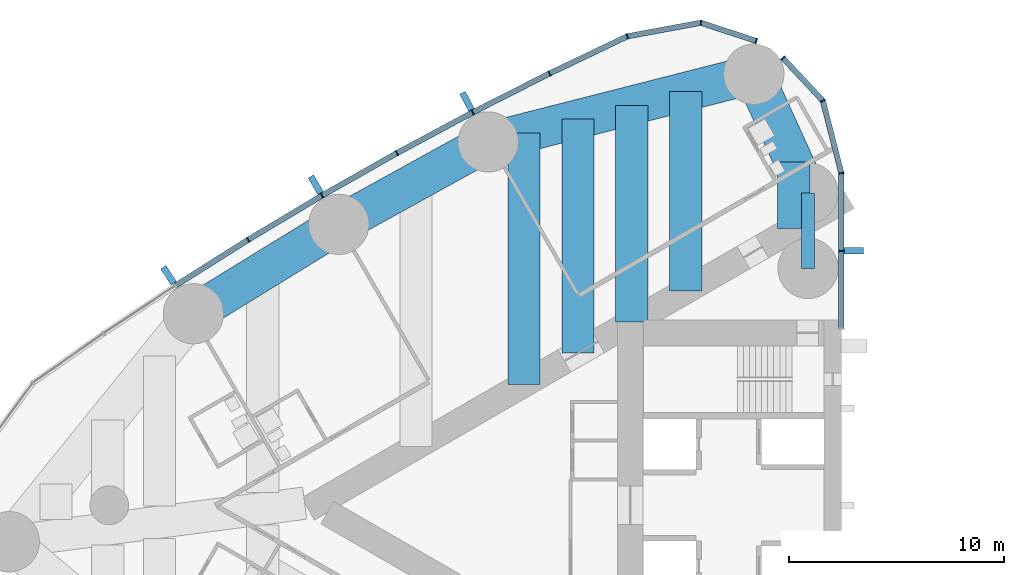
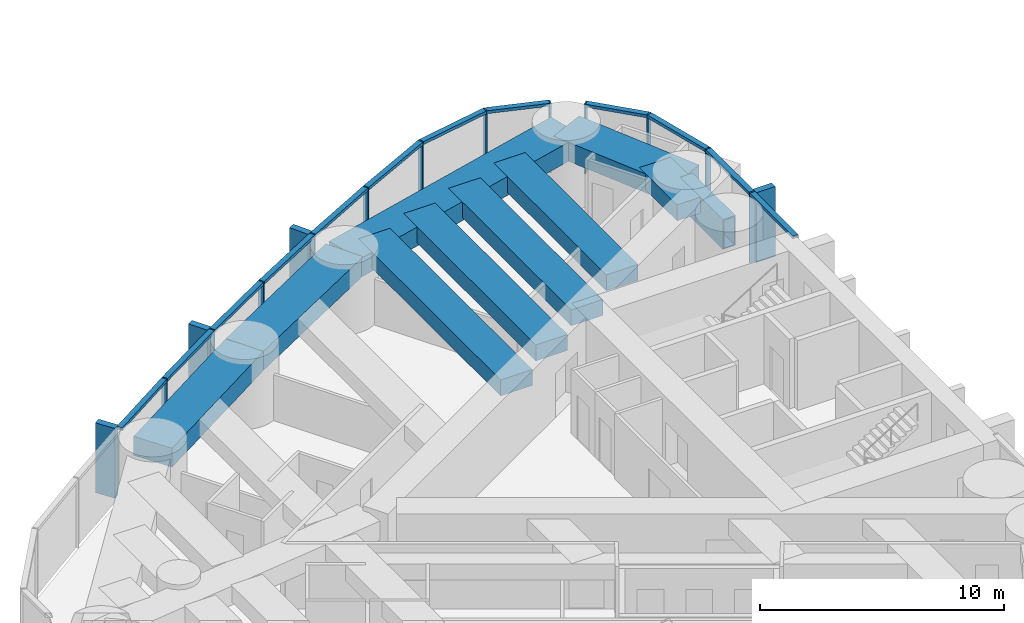
# One storey, part 5 of 19: 28 members, 10 beams, 2 elements without a shape of their own.
"""IFC4 building model written with IfcOpenShell, lengths in metres."""

from ifc_helpers import new_model, si_unit, direction, frame, origin, origin_2d, place, context, subcontext, project, spatial, rectangle, hollow_rectangle, extrude, material, material_profile, profile_set, type_object, element, aggregate, save


model = new_model("IFC4")

# Units and contexts
model_context = context("Model", 3, precision=1e-05, world=origin(), true_north=direction((0.0, 1.0)))
body_context = subcontext(model_context, "Body", "Model", "MODEL_VIEW")
ifc_project = project(units=[si_unit("LENGTHUNIT", "METRE"), si_unit("AREAUNIT", "SQUARE_METRE"), si_unit("VOLUMEUNIT", "CUBIC_METRE"), si_unit("PLANEANGLEUNIT", "RADIAN"), si_unit("MASSUNIT", "GRAM", prefix="KILO")], contexts=[model_context])

# Site, building, storey
site_placement = place(None, origin())
site = spatial("IfcSite", under=ifc_project, at=site_placement, CompositionType="ELEMENT")
building_placement = place(site_placement, origin())
building = spatial("IfcBuilding", under=site, at=building_placement, Name="Lancet Gate Hotel", CompositionType="ELEMENT")
storey_placement = place(building_placement, frame((0.0, 0.0, 163.300048828125)))
storey = spatial("IfcBuildingStorey", under=building, at=storey_placement, Name="L43", CompositionType="ELEMENT", Elevation=163.300048828125)

# Curtain wall, members
ifc_material_1 = material(Name="Aluminium curtain wall", Category="aluminium")
curtain_wall_type = type_object("IfcCurtainWallType", Name="Tower unitised curtain wall", PredefinedType="USERDEFINED", material=ifc_material_1)
curtain_wall_1_placement = place(storey_placement, origin())
curtain_wall_1 = element("IfcCurtainWall", 1, at=curtain_wall_1_placement, inside=storey, type_object=curtain_wall_type, Name="T1 L43 curtain wall 1", ObjectType="UNITISED CURTAIN WALL", PredefinedType="USERDEFINED")
ifc_material_2 = material(Name="Aluminium mullion", Category="aluminium")
ifc_material_profile_1 = material_profile(ifc_material_2, rectangle(XDim=0.06494140625, YDim=0.25, at=origin_2d()), Name="MULLION 65x250")
ifc_profile_set_1 = profile_set([ifc_material_profile_1], Name="Aluminium mullion")
member_type_1 = type_object("IfcMemberType", Name="Aluminium mullion 65x250", PredefinedType="MULLION", material=ifc_profile_set_1)
member_1_placement = place(storey_placement, frame((-27.5, 11.811767578125, 0.0), z_axis=(0.0, 0.0, 1.0), x_axis=(0.0, 1.0, 0.0)))
member_1 = element("IfcMember", 2, at=member_1_placement, type_object=member_type_1, Name="T1 L43 curtain wall 1 mullion 2", PredefinedType="MULLION", context=body_context, shape_type="SweptSolid", body=[
    extrude(rectangle(XDim=0.06494140625, YDim=0.25, at=origin_2d()), origin(), (0.0, 0.0, 1.0), 3.5),
])
member_2_placement = place(storey_placement, frame((-27.5, 15.42333984375, 0.0), z_axis=(0.0, 0.0, 1.0), x_axis=(-0.122467472845, 0.992472527627, 0.0)))
member_2 = element("IfcMember", 3, at=member_2_placement, type_object=member_type_1, Name="T1 L43 curtain wall 1 mullion 3", PredefinedType="MULLION", context=body_context, shape_type="SweptSolid", body=[
    extrude(rectangle(XDim=0.06494140625, YDim=0.25, at=origin_2d()), origin(), (0.0, 0.0, 1.0), 3.5),
])
member_3_placement = place(storey_placement, frame((-28.360595703125, 18.7861328125, 0.0), z_axis=(0.0, 0.0, 1.0), x_axis=(-0.452507601198, 0.891760545695, 0.0)))
member_3 = element("IfcMember", 4, at=member_3_placement, type_object=member_type_1, Name="T1 L43 curtain wall 1 mullion 4", PredefinedType="MULLION", context=body_context, shape_type="SweptSolid", body=[
    extrude(rectangle(XDim=0.06494140625, YDim=0.25, at=origin_2d()), origin(), (0.0, 0.0, 1.0), 3.5),
])
member_4_placement = place(storey_placement, frame((-30.210693359375, 20.765625, 0.0), z_axis=(0.0, 0.0, 1.0), x_axis=(-0.682844962172, 0.730563315282, 0.0)))
member_4 = element("IfcMember", 5, at=member_4_placement, type_object=member_type_1, Name="T1 L43 curtain wall 1 mullion 5", PredefinedType="MULLION", context=body_context, shape_type="SweptSolid", body=[
    extrude(rectangle(XDim=0.06494140625, YDim=0.25, at=origin_2d()), origin(), (0.0, 0.0, 1.0), 3.5),
])

curtain_wall_2_placement = place(storey_placement, origin())
curtain_wall_2 = element("IfcCurtainWall", 6, at=curtain_wall_2_placement, inside=storey, type_object=curtain_wall_type, Name="T1 L43 curtain wall 2", ObjectType="UNITISED CURTAIN WALL", PredefinedType="USERDEFINED")
member_5_placement = place(storey_placement, frame((-31.45263671875, 21.5595703125, 0.0), z_axis=(0.0, 0.0, 1.0), x_axis=(-0.949848055084, 0.312711803827, 0.0)))
member_5 = element("IfcMember", 7, at=member_5_placement, type_object=member_type_1, Name="T1 L43 curtain wall 2 mullion 1", PredefinedType="MULLION", context=body_context, shape_type="SweptSolid", body=[
    extrude(rectangle(XDim=0.06494140625, YDim=0.25, at=origin_2d()), origin(), (0.0, 0.0, 1.0), 3.5),
])
member_6_placement = place(storey_placement, frame((-34.02783203125, 22.407470703125, 0.0), z_axis=(0.0, 0.0, 1.0), x_axis=(-0.999350473622, 0.036036521361, 0.0)))
member_6 = element("IfcMember", 8, at=member_6_placement, type_object=member_type_1, Name="T1 L43 curtain wall 2 mullion 2", PredefinedType="MULLION", context=body_context, shape_type="SweptSolid", body=[
    extrude(rectangle(XDim=0.06494140625, YDim=0.25, at=origin_2d()), origin(), (0.0, 0.0, 1.0), 3.5),
])
member_7_placement = place(storey_placement, frame((-37.44091796875, 21.775634765625, 0.0), z_axis=(0.0, 0.0, 1.0), x_axis=(-0.948119321052, -0.317914694609, 0.0)))
member_7 = element("IfcMember", 9, at=member_7_placement, type_object=member_type_1, Name="T1 L43 curtain wall 2 mullion 3", PredefinedType="MULLION", context=body_context, shape_type="SweptSolid", body=[
    extrude(rectangle(XDim=0.06494140625, YDim=0.25, at=origin_2d()), origin(), (0.0, 0.0, 1.0), 3.5),
])
member_8_placement = place(storey_placement, frame((-41.0498046875, 20.052978515625, 0.0), z_axis=(0.0, 0.0, 1.0), x_axis=(-0.897324392142, -0.441371652088, 0.0)))
member_8 = element("IfcMember", 10, at=member_8_placement, type_object=member_type_1, Name="T1 L43 curtain wall 2 mullion 4", PredefinedType="MULLION", context=body_context, shape_type="SweptSolid", body=[
    extrude(rectangle(XDim=0.06494140625, YDim=0.25, at=origin_2d()), origin(), (0.0, 0.0, 1.0), 3.5),
])
member_9_placement = place(storey_placement, frame((-44.6171875, 18.245849609375, 0.0), z_axis=(0.0, 0.0, 1.0), x_axis=(-0.886694440064, -0.462355891019, 0.0)))
member_9 = element("IfcMember", 11, at=member_9_placement, type_object=member_type_1, Name="T1 L43 curtain wall 2 mullion 5", PredefinedType="MULLION", context=body_context, shape_type="SweptSolid", body=[
    extrude(rectangle(XDim=0.06494140625, YDim=0.25, at=origin_2d()), origin(), (0.0, 0.0, 1.0), 3.5),
])
member_10_placement = place(storey_placement, frame((-48.140869140625, 16.355224609375, 0.0), z_axis=(0.0, 0.0, 1.0), x_axis=(-0.87557384965, -0.483084292654, 0.0)))
member_10 = element("IfcMember", 12, at=member_10_placement, type_object=member_type_1, Name="T1 L43 curtain wall 2 mullion 6", PredefinedType="MULLION", context=body_context, shape_type="SweptSolid", body=[
    extrude(rectangle(XDim=0.06494140625, YDim=0.25, at=origin_2d()), origin(), (0.0, 0.0, 1.0), 3.5),
])
member_11_placement = place(storey_placement, frame((-51.619384765625, 14.38232421875, 0.0), z_axis=(0.0, 0.0, 1.0), x_axis=(-0.863968774311, -0.503545387245, 0.0)))
member_11 = element("IfcMember", 13, at=member_11_placement, type_object=member_type_1, Name="T1 L43 curtain wall 2 mullion 7", PredefinedType="MULLION", context=body_context, shape_type="SweptSolid", body=[
    extrude(rectangle(XDim=0.06494140625, YDim=0.25, at=origin_2d()), origin(), (0.0, 0.0, 1.0), 3.5),
])
member_12_placement = place(storey_placement, frame((-55.05029296875, 12.328369140625, 0.0), z_axis=(0.0, 0.0, 1.0), x_axis=(-0.851885635531, -0.52372785297, 0.0)))
member_12 = element("IfcMember", 14, at=member_12_placement, type_object=member_type_1, Name="T1 L43 curtain wall 2 mullion 8", PredefinedType="MULLION", context=body_context, shape_type="SweptSolid", body=[
    extrude(rectangle(XDim=0.06494140625, YDim=0.25, at=origin_2d()), origin(), (0.0, 0.0, 1.0), 3.5),
])

# Member
ifc_material_3 = material(Name="Aluminium transom", Category="aluminium")
ifc_material_profile_2 = material_profile(ifc_material_3, rectangle(XDim=0.25, YDim=0.14990234375, at=origin_2d()), Name="TRANSOM 250x150")
ifc_profile_set_2 = profile_set([ifc_material_profile_2], Name="Aluminium transom")
member_type_2 = type_object("IfcMemberType", Name="Aluminium transom 250x150", PredefinedType="USERDEFINED", material=ifc_profile_set_2)
member_13_placement = place(storey_placement, frame((-27.5, 8.232421875, 3.425048828125), z_axis=(0.0, 1.0, 0.0), x_axis=(-1.0, 0.0, 0.0)))
member_13 = element("IfcMember", 15, at=member_13_placement, type_object=member_type_2, Name="T1 L43 curtain wall 1 transom 1", ObjectType="TRANSOM", PredefinedType="USERDEFINED", context=body_context, shape_type="SweptSolid", body=[
    extrude(rectangle(XDim=0.25, YDim=0.14990234375, at=origin_2d()), origin(), (0.0, 0.0, 1.0), 3.546875),
])

member_14_placement = place(storey_placement, frame((-27.5, 11.84423828125, 3.425048828125), z_axis=(0.0, 1.0, 0.0), x_axis=(-1.0, 0.0, 0.0)))
member_14 = element("IfcMember", 16, at=member_14_placement, type_object=member_type_2, Name="T1 L43 curtain wall 1 transom 2", ObjectType="TRANSOM", PredefinedType="USERDEFINED", context=body_context, shape_type="SweptSolid", body=[
    extrude(rectangle(XDim=0.25, YDim=0.14990234375, at=origin_2d()), origin(), (0.0, 0.0, 1.0), 3.546630859375),
])

member_15_placement = place(storey_placement, frame((-27.508056640625, 15.454833984375, 3.425048828125), z_axis=(-0.247928683912, 0.968778286139, 0.0), x_axis=(-0.968778286139, -0.247928683912, 0.0)))
member_15 = element("IfcMember", 17, at=member_15_placement, type_object=member_type_2, Name="T1 L43 curtain wall 1 transom 3", ObjectType="TRANSOM", PredefinedType="USERDEFINED", context=body_context, shape_type="SweptSolid", body=[
    extrude(rectangle(XDim=0.25, YDim=0.14990234375, at=origin_2d()), origin(), (0.0, 0.0, 1.0), 3.40625),
])

member_16_placement = place(storey_placement, frame((-28.3828125, 18.809814453125, 3.425048828125), z_axis=(-0.682841037959, 0.730566983157, 0.0), x_axis=(-0.730566983157, -0.682841037959, 0.0)))
member_16 = element("IfcMember", 18, at=member_16_placement, type_object=member_type_2, Name="T1 L43 curtain wall 1 transom 4", ObjectType="TRANSOM", PredefinedType="USERDEFINED", context=body_context, shape_type="SweptSolid", body=[
    extrude(rectangle(XDim=0.25, YDim=0.14990234375, at=origin_2d()), origin(), (0.0, 0.0, 1.0), 2.644775390625),
])

member_17_placement = place(storey_placement, frame((-31.483642578125, 21.56982421875, 3.425048828125), z_axis=(-0.949857661259, 0.312682623993, 0.0), x_axis=(-0.312682623993, -0.949857661259, 0.0)))
member_17 = element("IfcMember", 19, at=member_17_placement, type_object=member_type_2, Name="T1 L43 curtain wall 2 transom 1", ObjectType="TRANSOM", PredefinedType="USERDEFINED", context=body_context, shape_type="SweptSolid", body=[
    extrude(rectangle(XDim=0.25, YDim=0.14990234375, at=origin_2d()), origin(), (0.0, 0.0, 1.0), 2.64599609375),
])

member_18_placement = place(storey_placement, frame((-34.059814453125, 22.401611328125, 3.425048828125), z_axis=(-0.983286757871, -0.182063592724, 0.0), x_axis=(0.182063592724, -0.983286757871, 0.0)))
member_18 = element("IfcMember", 20, at=member_18_placement, type_object=member_type_2, Name="T1 L43 curtain wall 2 transom 2", ObjectType="TRANSOM", PredefinedType="USERDEFINED", context=body_context, shape_type="SweptSolid", body=[
    extrude(rectangle(XDim=0.25, YDim=0.14990234375, at=origin_2d()), origin(), (0.0, 0.0, 1.0), 3.406005859375),
])

member_19_placement = place(storey_placement, frame((-37.47021484375, 21.761474609375, 3.425048828125), z_axis=(-0.902468975385, -0.430754858902, 0.0), x_axis=(0.430754858902, -0.902468975385, 0.0)))
member_19 = element("IfcMember", 21, at=member_19_placement, type_object=member_type_2, Name="T1 L43 curtain wall 2 transom 3", ObjectType="TRANSOM", PredefinedType="USERDEFINED", context=body_context, shape_type="SweptSolid", body=[
    extrude(rectangle(XDim=0.25, YDim=0.14990234375, at=origin_2d()), origin(), (0.0, 0.0, 1.0), 3.93408203125),
])

member_20_placement = place(storey_placement, frame((-41.078857421875, 20.0380859375, 3.425048828125), z_axis=(-0.892081477453, -0.451874581699, 0.0), x_axis=(0.451874581699, -0.892081477453, 0.0)))
member_20 = element("IfcMember", 22, at=member_20_placement, type_object=member_type_2, Name="T1 L43 curtain wall 2 transom 4", ObjectType="TRANSOM", PredefinedType="USERDEFINED", context=body_context, shape_type="SweptSolid", body=[
    extrude(rectangle(XDim=0.25, YDim=0.14990234375, at=origin_2d()), origin(), (0.0, 0.0, 1.0), 3.933837890625),
])

member_21_placement = place(storey_placement, frame((-44.645751953125, 18.23046875, 3.425048828125), z_axis=(-0.881185491994, -0.472770693571, 0.0), x_axis=(0.472770693571, -0.881185491994, 0.0)))
member_21 = element("IfcMember", 23, at=member_21_placement, type_object=member_type_2, Name="T1 L43 curtain wall 2 transom 5", ObjectType="TRANSOM", PredefinedType="USERDEFINED", context=body_context, shape_type="SweptSolid", body=[
    extrude(rectangle(XDim=0.25, YDim=0.14990234375, at=origin_2d()), origin(), (0.0, 0.0, 1.0), 3.93408203125),
])

member_22_placement = place(storey_placement, frame((-48.169189453125, 16.33935546875, 3.425048828125), z_axis=(-0.869819807367, -0.493369539709, 0.0), x_axis=(0.493369539709, -0.869819807367, 0.0)))
member_22 = element("IfcMember", 24, at=member_22_placement, type_object=member_type_2, Name="T1 L43 curtain wall 2 transom 6", ObjectType="TRANSOM", PredefinedType="USERDEFINED", context=body_context, shape_type="SweptSolid", body=[
    extrude(rectangle(XDim=0.25, YDim=0.14990234375, at=origin_2d()), origin(), (0.0, 0.0, 1.0), 3.93408203125),
])

member_23_placement = place(storey_placement, frame((-51.647216796875, 14.36572265625, 3.425048828125), z_axis=(-0.857985365092, -0.513674131419, 0.0), x_axis=(0.513674131419, -0.857985365092, 0.0)))
member_23 = element("IfcMember", 25, at=member_23_placement, type_object=member_type_2, Name="T1 L43 curtain wall 2 transom 7", ObjectType="TRANSOM", PredefinedType="USERDEFINED", context=body_context, shape_type="SweptSolid", body=[
    extrude(rectangle(XDim=0.25, YDim=0.14990234375, at=origin_2d()), origin(), (0.0, 0.0, 1.0), 3.933837890625),
])

member_24_placement = place(storey_placement, frame((-55.077880859375, 12.31103515625, 3.425048828125), z_axis=(-0.845671711095, -0.53370343549, 0.0), x_axis=(0.53370343549, -0.845671711095, 0.0)))
member_24 = element("IfcMember", 26, at=member_24_placement, type_object=member_type_2, Name="T1 L43 curtain wall 2 transom 8", ObjectType="TRANSOM", PredefinedType="USERDEFINED", context=body_context, shape_type="SweptSolid", body=[
    extrude(rectangle(XDim=0.25, YDim=0.14990234375, at=origin_2d()), origin(), (0.0, 0.0, 1.0), 3.93408203125),
])

# Beams
ifc_material_4 = material(Name="Concrete C50/60", Category="concrete")
ifc_material_profile_3 = material_profile(ifc_material_4, rectangle(XDim=1.800048828125, YDim=0.949951171875, at=origin_2d()), Name="RC 1800x950")
ifc_profile_set_3 = profile_set([ifc_material_profile_3], Name="Concrete C50/60")
beam_type_1 = type_object("IfcBeamType", Name="Edge beam RC 1800x950", PredefinedType="SPANDREL", material=ifc_profile_set_3)
beam_1_placement = place(storey_placement, frame((-31.5654296875, 20.015869140625, 2.77490234375), z_axis=(-0.969008414312, -0.247027717052, 0.0), x_axis=(0.247027717052, -0.969008414312, 0.0)))
element("IfcBeam", 27, at=beam_1_placement, inside=storey, type_object=beam_type_1, Name="T1 edge beam EB1 L43", PredefinedType="SPANDREL", context=body_context, shape_type="SweptSolid", body=[
    extrude(rectangle(XDim=1.800048828125, YDim=0.949951171875, at=origin_2d()), origin(), (0.0, 0.0, 1.0), 12.7294921875),
])
beam_2_placement = place(storey_placement, frame((-43.900390625, 16.871337890625, 2.77490234375), z_axis=(-0.875577684027, -0.483077342911, 0.0), x_axis=(0.483077342911, -0.875577684027, 0.0)))
element("IfcBeam", 28, at=beam_2_placement, inside=storey, type_object=beam_type_1, Name="T1 edge beam EB1 L43", PredefinedType="SPANDREL", context=body_context, shape_type="SweptSolid", body=[
    extrude(rectangle(XDim=1.800048828125, YDim=0.949951171875, at=origin_2d()), origin(), (0.0, 0.0, 1.0), 7.924560546875),
])
beam_3_placement = place(storey_placement, frame((-50.8388671875, 13.043212890625, 2.77490234375), z_axis=(-0.851892008043, -0.523717487423, 0.0), x_axis=(0.523717487423, -0.851892008043, 0.0)))
element("IfcBeam", 29, at=beam_3_placement, inside=storey, type_object=beam_type_1, Name="T1 edge beam EB1 L43", PredefinedType="SPANDREL", context=body_context, shape_type="SweptSolid", body=[
    extrude(rectangle(XDim=1.800048828125, YDim=0.949951171875, at=origin_2d()), origin(), (0.0, 0.0, 1.0), 7.92431640625),
])
beam_4_placement = place(storey_placement, frame((-31.5654296875, 20.015869140625, 2.77490234375), z_axis=(0.414919206993, -0.909858259109, 0.0), x_axis=(0.909858259109, 0.414919206993, 0.0)))
element("IfcBeam", 30, at=beam_4_placement, inside=storey, type_object=beam_type_1, Name="T1 edge beam EB1 L43", PredefinedType="SPANDREL", context=body_context, shape_type="SweptSolid", body=[
    extrude(rectangle(XDim=1.800048828125, YDim=0.949951171875, at=origin_2d()), origin(), (0.0, 0.0, 1.0), 6.062255859375),
])

# Member
ifc_material_5 = material(Name="Precast concrete C50/60", Category="concrete")
ifc_material_profile_4 = material_profile(ifc_material_5, rectangle(XDim=0.300048828125, YDim=0.89990234375, at=origin_2d()), Name="FIN 300x900")
ifc_profile_set_4 = profile_set([ifc_material_profile_4], Name="Precast concrete C50/60")
member_type_3 = type_object("IfcMemberType", Name="Exposed concrete fin 300x900", PredefinedType="USERDEFINED", material=ifc_profile_set_4)
member_25_placement = place(storey_placement, frame((-26.925048828125, 11.811767578125, 0.0), z_axis=(0.0, 0.0, 1.0), x_axis=(0.0, 1.0, 0.0)))
member_25 = element("IfcMember", 31, at=member_25_placement, type_object=member_type_3, Name="T1 L43 curtain wall 1 fin 2", ObjectType="FIN", PredefinedType="USERDEFINED", context=body_context, shape_type="SweptSolid", body=[
    extrude(rectangle(XDim=0.300048828125, YDim=0.89990234375, at=origin_2d()), origin(), (0.0, 0.0, 1.0), 3.5),
])

aggregate(curtain_wall_1, [member_1, member_25, member_2, member_3, member_4, member_13, member_14, member_15, member_16])

member_26_placement = place(storey_placement, frame((-44.883056640625, 18.755615234375, 0.0), z_axis=(0.0, 0.0, 1.0), x_axis=(-0.886694440064, -0.462355891019, 0.0)))
member_26 = element("IfcMember", 32, at=member_26_placement, type_object=member_type_3, Name="T1 L43 curtain wall 2 fin 5", ObjectType="FIN", PredefinedType="USERDEFINED", context=body_context, shape_type="SweptSolid", body=[
    extrude(rectangle(XDim=0.300048828125, YDim=0.89990234375, at=origin_2d()), origin(), (0.0, 0.0, 1.0), 3.5),
])

member_27_placement = place(storey_placement, frame((-51.908935546875, 14.879150390625, 0.0), z_axis=(0.0, 0.0, 1.0), x_axis=(-0.863968774311, -0.503545387245, 0.0)))
member_27 = element("IfcMember", 33, at=member_27_placement, type_object=member_type_3, Name="T1 L43 curtain wall 2 fin 7", ObjectType="FIN", PredefinedType="USERDEFINED", context=body_context, shape_type="SweptSolid", body=[
    extrude(rectangle(XDim=0.300048828125, YDim=0.89990234375, at=origin_2d()), origin(), (0.0, 0.0, 1.0), 3.5),
])

member_28_placement = place(storey_placement, frame((-58.74462890625, 10.6767578125, 0.0), z_axis=(0.0, 0.0, 1.0), x_axis=(-0.839331119324, -0.54362052218, 0.0)))
member_28 = element("IfcMember", 34, at=member_28_placement, type_object=member_type_3, Name="T1 L43 curtain wall 2 fin 9", ObjectType="FIN", PredefinedType="USERDEFINED", context=body_context, shape_type="SweptSolid", body=[
    extrude(rectangle(XDim=0.300048828125, YDim=0.89990234375, at=origin_2d()), origin(), (0.0, 0.0, 1.0), 3.5),
])

aggregate(curtain_wall_2, [member_5, member_6, member_7, member_8, member_9, member_26, member_10, member_11, member_27, member_12, member_28, member_17, member_18, member_19, member_20, member_21, member_22, member_23, member_24])

# Beams
ifc_material_6 = material(Name="Concrete C50/60", Category="concrete")
ifc_material_profile_5 = material_profile(ifc_material_6, rectangle(XDim=1.5, YDim=0.800048828125, at=origin_2d()), Name="RC 1500x800")
ifc_profile_set_5 = profile_set([ifc_material_profile_5], Name="Concrete C50/60")
beam_type_2 = type_object("IfcBeamType", Name="Floor beam RC 1500x800", PredefinedType="BEAM", material=ifc_profile_set_5)
beam_5_placement = place(storey_placement, frame((-29.706787109375, 15.940185546875, 2.849853515625), z_axis=(0.0, -1.0, 0.0), x_axis=(1.0, 0.0, 0.0)))
element("IfcBeam", 35, at=beam_5_placement, inside=storey, type_object=beam_type_2, Name="T1 floor beam F01S L43", PredefinedType="BEAM", context=body_context, shape_type="SweptSolid", body=[
    extrude(rectangle(XDim=1.5, YDim=0.800048828125, at=origin_2d()), origin(), (0.0, 0.0, 1.0), 3.087646484375),
])
beam_6_placement = place(storey_placement, frame((-34.720458984375, 19.211669921875, 2.849853515625), z_axis=(0.0, -1.0, 0.0), x_axis=(1.0, 0.0, 0.0)))
element("IfcBeam", 36, at=beam_6_placement, inside=storey, type_object=beam_type_2, Name="T1 floor beam F03S L43", PredefinedType="BEAM", context=body_context, shape_type="SweptSolid", body=[
    extrude(rectangle(XDim=1.5, YDim=0.800048828125, at=origin_2d()), origin(), (0.0, 0.0, 1.0), 9.253662109375),
])
beam_7_placement = place(storey_placement, frame((-37.227294921875, 18.572509765625, 2.849853515625), z_axis=(0.0, -1.0, 0.0), x_axis=(1.0, 0.0, 0.0)))
element("IfcBeam", 37, at=beam_7_placement, inside=storey, type_object=beam_type_2, Name="T1 floor beam F04S L43", PredefinedType="BEAM", context=body_context, shape_type="SweptSolid", body=[
    extrude(rectangle(XDim=1.5, YDim=0.800048828125, at=origin_2d()), origin(), (0.0, 0.0, 1.0), 10.061767578125),
])
beam_8_placement = place(storey_placement, frame((-39.734130859375, 17.93359375, 2.849853515625), z_axis=(0.0, -1.0, 0.0), x_axis=(1.0, 0.0, 0.0)))
element("IfcBeam", 38, at=beam_8_placement, inside=storey, type_object=beam_type_2, Name="T1 floor beam F06S L43", PredefinedType="BEAM", context=body_context, shape_type="SweptSolid", body=[
    extrude(rectangle(XDim=1.5, YDim=0.800048828125, at=origin_2d()), origin(), (0.0, 0.0, 1.0), 10.8701171875),
])
beam_9_placement = place(storey_placement, frame((-42.240966796875, 17.29443359375, 2.849853515625), z_axis=(0.0, -1.0, 0.0), x_axis=(1.0, 0.0, 0.0)))
element("IfcBeam", 39, at=beam_9_placement, inside=storey, type_object=beam_type_2, Name="T1 floor beam F07S L43", PredefinedType="BEAM", context=body_context, shape_type="SweptSolid", body=[
    extrude(rectangle(XDim=1.5, YDim=0.800048828125, at=origin_2d()), origin(), (0.0, 0.0, 1.0), 11.678466796875),
])
ifc_material_7 = material(Name="Steel S460QL", Category="steel")
ifc_material_profile_6 = material_profile(ifc_material_7, hollow_rectangle(XDim=0.60009765625, YDim=1.5, WallThickness=0.050048828125, at=origin_2d()), Name="BOX 1500x600x50")
ifc_profile_set_6 = profile_set([ifc_material_profile_6], Name="Steel S460QL")
beam_type_3 = type_object("IfcBeamType", Name="Inner-face link beam BOX 1500x600x50", PredefinedType="BEAM", material=ifc_profile_set_6)
beam_10_placement = place(storey_placement, frame((-29.050048828125, 14.5, 2.5), z_axis=(0.0, -1.0, 0.0), x_axis=(1.0, 0.0, 0.0)))
element("IfcBeam", 40, at=beam_10_placement, inside=storey, type_object=beam_type_3, Name="T1 inner-face link beam LK1 L43", PredefinedType="BEAM", context=body_context, shape_type="SweptSolid", body=[
    extrude(hollow_rectangle(XDim=0.60009765625, YDim=1.5, WallThickness=0.050048828125, at=origin_2d()), origin(), (0.0, 0.0, 1.0), 3.5),
])

save(model, "model.ifc")
